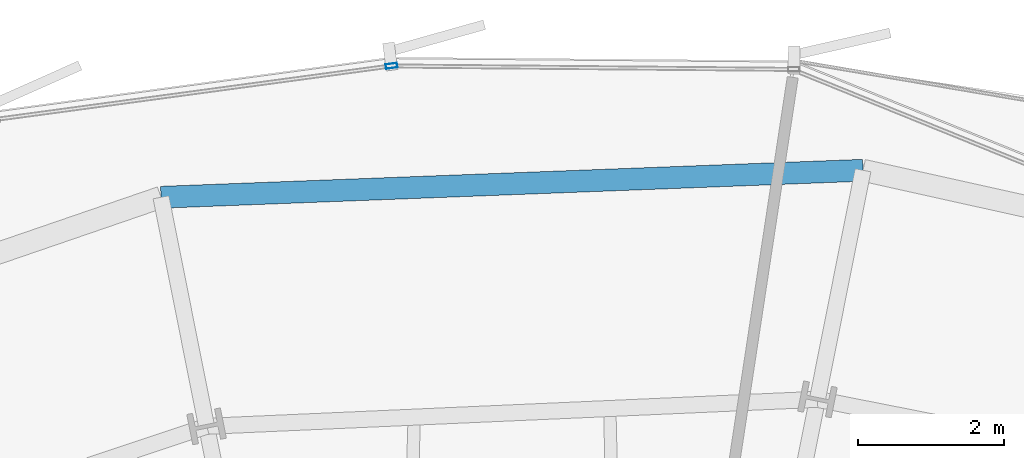
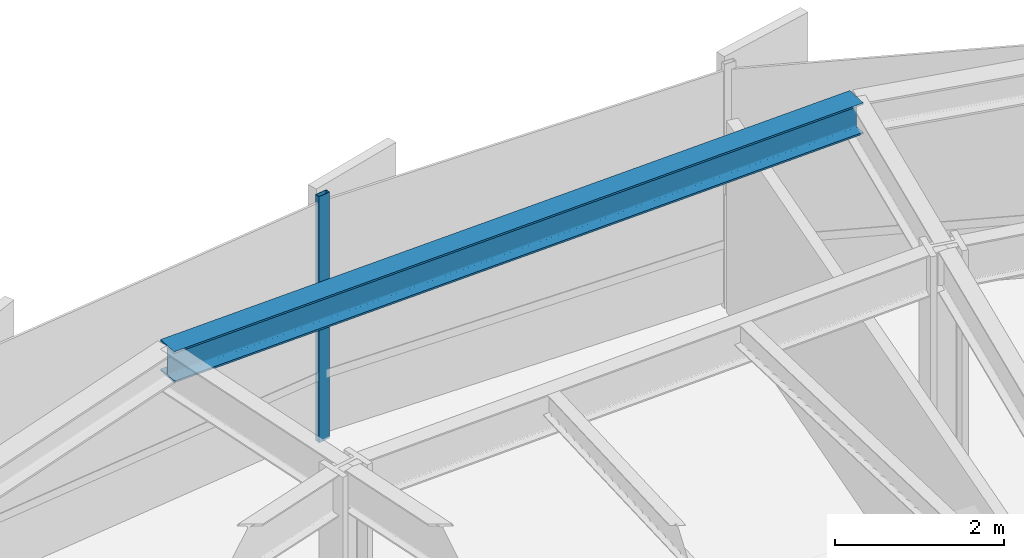
# One storey, part 22 of 39: 1 beam, 1 member, 1 element without a shape of its own.
"""IFC4 building model written with IfcOpenShell, lengths in metres."""

from ifc_helpers import new_model, si_unit, direction, frame, origin, origin_2d, place, context, subcontext, project, spatial, hollow_rectangle, i_section, extrude, source, transform, mapped, material, layer, layer_set, material_profile, profile_set, type_object, element, aggregate, save


model = new_model("IFC4")

# Units and contexts
model_context = context("Model", 3, precision=1e-05, world=origin(), true_north=direction((0.0, 1.0)))
body_context = subcontext(model_context, "Body", "Model", "MODEL_VIEW")
ifc_project = project(units=[si_unit("LENGTHUNIT", "METRE"), si_unit("AREAUNIT", "SQUARE_METRE"), si_unit("VOLUMEUNIT", "CUBIC_METRE"), si_unit("PLANEANGLEUNIT", "RADIAN"), si_unit("MASSUNIT", "GRAM", prefix="KILO"), si_unit("THERMODYNAMICTEMPERATUREUNIT", "KELVIN")], contexts=[model_context])

# Site, building, storey
site_placement = place(None, origin())
site = spatial("IfcSite", under=ifc_project, at=site_placement, CompositionType="ELEMENT")
building_placement = place(site_placement, origin())
building = spatial("IfcBuilding", under=site, at=building_placement, Name="Kethvar Cultural Tower", CompositionType="ELEMENT")
storey_placement = place(building_placement, frame((0.0, 0.0, 44.800048828125)))
storey = spatial("IfcBuildingStorey", under=building, at=storey_placement, Name="L10", CompositionType="ELEMENT", Elevation=44.800048828125)

# Beam
ifc_material_1 = material(Name="Steel S355J2", Category="steel")
ifc_material_profile_1 = material_profile(ifc_material_1, i_section(OverallWidth=0.300048828125, OverallDepth=0.449951171875, WebThickness=0.013916015625, FlangeThickness=0.02587890625, FilletRadius=0.027099609375, at=origin_2d()), Name="Steel S355J2 — HEB450")
ifc_profile_set_1 = profile_set([ifc_material_profile_1], Name="Steel S355J2 — HEB450")
beam_type = type_object("IfcBeamType", Name="BM-SP450", PredefinedType="SPANDREL", material=ifc_profile_set_1)
shared_shape_1 = source(origin(), body_context, "Body", "SweptSolid", [
    extrude(i_section(OverallWidth=0.300048828125, OverallDepth=0.449951171875, WebThickness=0.013916015625, FlangeThickness=0.02587890625, FilletRadius=0.027099609375, at=origin_2d()), origin(), (0.0, 0.0, 1.0), 9.62646484375),
])
beam_placement = place(storey_placement, frame((51.646484375, 52.164306640625, 3.322998046875), z_axis=(-0.999260612605, -0.038447732004, 0.0), x_axis=(0.038447732004, -0.999260612605, 0.0)))
element("IfcBeam", 1, at=beam_placement, inside=storey, type_object=beam_type, Name="L10 Perimeter Spandrel Beam SP-04", PredefinedType="SPANDREL", context=body_context, shape_type="MappedRepresentation", body=[
    mapped(shared_shape_1, transform((0.0, 0.0, 0.0), scale=1.0)),
])

# Curtain wall, member
ifc_material_2 = material(Name="Aluminium 6063-T6", Category="aluminium")
ifc_layer = layer(ifc_material_2, 0.179931640625, Name="Aluminium 6063-T6", Category="aluminium")
ifc_layer_set = layer_set([ifc_layer], Name="Aluminium 6063-T6 (180 mm)")
curtain_wall_type = type_object("IfcCurtainWallType", Name="CW-SYS-02-Z1", PredefinedType="NOTDEFINED", material=ifc_layer_set)
curtain_wall_placement = place(storey_placement, origin())
curtain_wall = element("IfcCurtainWall", 2, at=curtain_wall_placement, inside=storey, type_object=curtain_wall_type, Name="L10 Curtain Wall Run 02", PredefinedType="NOTDEFINED")
ifc_material_profile_2 = material_profile(ifc_material_2, hollow_rectangle(XDim=0.06494140625, YDim=0.159912109375, WallThickness=0.0048828125, at=origin_2d()), Name="Aluminium 6063-T6 — RHS160x65x5")
ifc_profile_set_2 = profile_set([ifc_material_profile_2], Name="Aluminium 6063-T6 — RHS160x65x5")
member_type = type_object("IfcMemberType", Name="CW-SYS-02-Z1-MUL", PredefinedType="MULLION", material=ifc_profile_set_2)
shared_shape_2 = source(origin(), body_context, "Body", "SweptSolid", [
    extrude(hollow_rectangle(XDim=0.06494140625, YDim=0.159912109375, WallThickness=0.0048828125, at=origin_2d()), origin(), (0.0, 0.0, 1.0), 3.550048828125),
])
member_placement = place(storey_placement, frame((45.185791015625, 53.5947265625, 0.0), z_axis=(0.0, 0.0, 1.0), x_axis=(0.134038072994, -0.990976182856, 0.0)))
member = element("IfcMember", 3, at=member_placement, type_object=member_type, Name="CW-L10-R02 Mullion 5", PredefinedType="MULLION", context=body_context, shape_type="MappedRepresentation", body=[
    mapped(shared_shape_2, transform((0.0, 0.0, 0.0), scale=1.0)),
])
aggregate(curtain_wall, [member])

save(model, "model.ifc")
